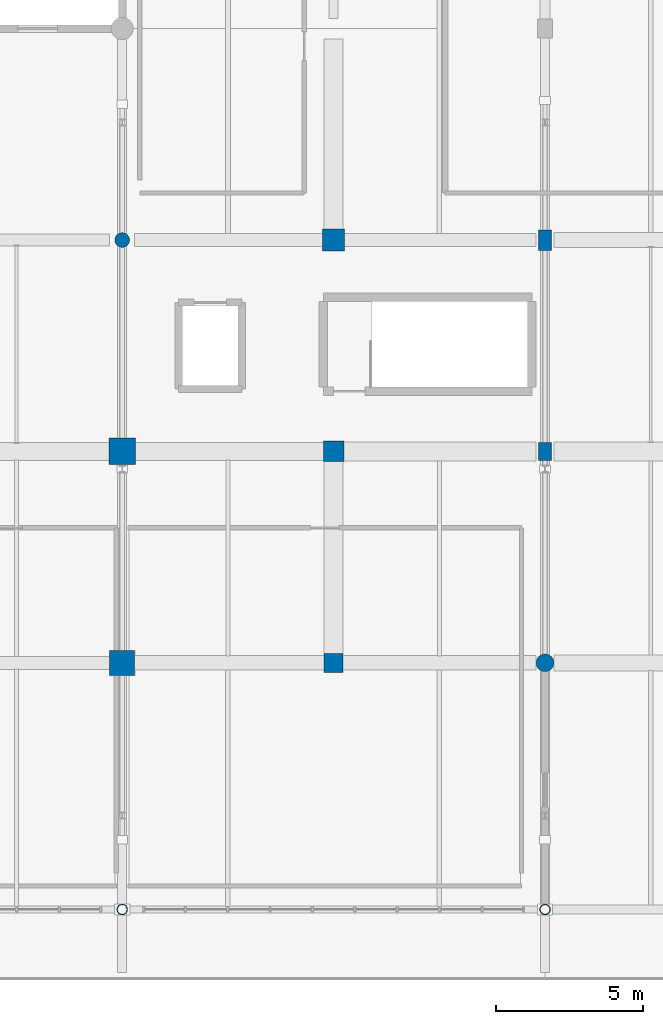
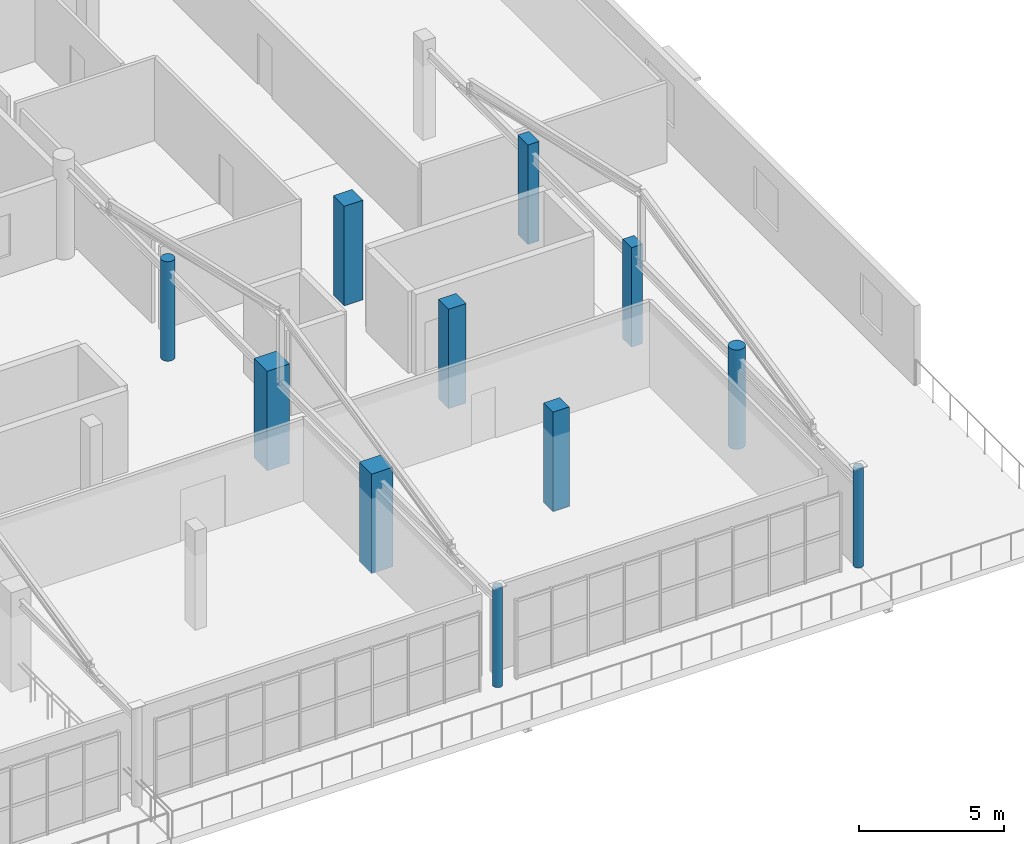
# One storey, part 3 of 41: 11 columns.
"""IFC4 building model written with IfcOpenShell, lengths in metres."""

from ifc_helpers import new_model, si_unit, direction, frame, origin, origin_2d, place, context, subcontext, project, spatial, rectangle, circle, hollow_circle, extrude, material, material_profile, profile_set, type_object, element, save


model = new_model("IFC4")

# Units and contexts
model_context = context("Model", 3, precision=1e-05, world=origin(), true_north=direction((0.0, 1.0)))
body_context = subcontext(model_context, "Body", "Model", "MODEL_VIEW")
ifc_project = project(units=[si_unit("LENGTHUNIT", "METRE"), si_unit("AREAUNIT", "SQUARE_METRE"), si_unit("VOLUMEUNIT", "CUBIC_METRE"), si_unit("PLANEANGLEUNIT", "RADIAN"), si_unit("MASSUNIT", "GRAM", prefix="KILO")], contexts=[model_context])

# Site, building, storey
site_placement = place(None, origin())
site = spatial("IfcSite", under=ifc_project, at=site_placement, CompositionType="ELEMENT")
building_placement = place(site_placement, origin())
building = spatial("IfcBuilding", under=site, at=building_placement, Name="Solanera Park Tramway Depot", CompositionType="ELEMENT")
storey_placement = place(building_placement, frame((0.0, 0.0, 13.199951171875)))
storey = spatial("IfcBuildingStorey", under=building, at=storey_placement, Name="L03", CompositionType="ELEMENT", Elevation=13.199951171875)

# Columns
ifc_material_1 = material(Name="Concrete N40 (C40/50)", Category="concrete")
ifc_material_profile_1 = material_profile(ifc_material_1, rectangle(XDim=0.64990234375, YDim=0.64990234375, at=origin_2d()), Name="RC 650x650")
ifc_profile_set_1 = profile_set([ifc_material_profile_1], Name="Concrete N40 (C40/50)")
column_type_1 = type_object("IfcColumnType", Name="RC Column Ext RC 650x650", PredefinedType="COLUMN", material=ifc_profile_set_1)
column_1_placement = place(storey_placement, frame((172.800048828125, 10.800048828125, 0.0), z_axis=(0.0, 0.0, 1.0), x_axis=(1.0, 0.0, 0.0)))
element("IfcColumn", 1, at=column_1_placement, inside=storey, type_object=column_type_1, Name="L03 Column V4-X1728-Y108", PredefinedType="COLUMN", context=body_context, shape_type="SweptSolid", body=[
    extrude(rectangle(XDim=0.64990234375, YDim=0.64990234375, at=origin_2d()), origin(), (0.0, 0.0, 1.0), 4.199951171875),
])
ifc_material_2 = material(Name="Concrete N40 (C40/50)", Category="concrete")
ifc_material_profile_2 = material_profile(ifc_material_2, rectangle(XDim=0.85009765625, YDim=0.85009765625, at=origin_2d()), Name="RC 850x850")
ifc_profile_set_2 = profile_set([ifc_material_profile_2], Name="Concrete N40 (C40/50)")
column_type_2 = type_object("IfcColumnType", Name="RC Column Ext RC 850x850", PredefinedType="COLUMN", material=ifc_profile_set_2)
column_2_placement = place(storey_placement, frame((165.60009765625, 10.800048828125, 0.0), z_axis=(0.0, 0.0, 1.0), x_axis=(1.0, 0.0, 0.0)))
element("IfcColumn", 2, at=column_2_placement, inside=storey, type_object=column_type_2, Name="L03 Column V4-X1656-Y108", PredefinedType="COLUMN", context=body_context, shape_type="SweptSolid", body=[
    extrude(rectangle(XDim=0.85009765625, YDim=0.85009765625, at=origin_2d()), origin(), (0.0, 0.0, 1.0), 4.199951171875),
])
ifc_material_3 = material(Name="Concrete N40 (C40/50)", Category="concrete")
ifc_material_profile_3 = material_profile(ifc_material_3, circle(Radius=0.300048828125, at=origin_2d()), Name="RC D600")
ifc_profile_set_3 = profile_set([ifc_material_profile_3], Name="Concrete N40 (C40/50)")
column_type_3 = type_object("IfcColumnType", Name="RC Column Ext RC D600", PredefinedType="COLUMN", material=ifc_profile_set_3)
column_3_placement = place(storey_placement, frame((180.0, 10.800048828125, 0.0), z_axis=(0.0, 0.0, 1.0), x_axis=(1.0, 0.0, 0.0)))
element("IfcColumn", 3, at=column_3_placement, inside=storey, type_object=column_type_3, Name="L03 Column V4-X1800-Y108", PredefinedType="COLUMN", context=body_context, shape_type="SweptSolid", body=[
    extrude(circle(Radius=0.300048828125, at=origin_2d()), origin(), (0.0, 0.0, 1.0), 4.199951171875),
])
ifc_material_4 = material(Name="Concrete N40 (C40/50)", Category="concrete")
ifc_material_profile_4 = material_profile(ifc_material_4, rectangle(XDim=0.449951171875, YDim=0.60009765625, at=origin_2d()), Name="RC 450x600")
ifc_profile_set_4 = profile_set([ifc_material_profile_4], Name="Concrete N40 (C40/50)")
column_type_4 = type_object("IfcColumnType", Name="RC Column Int RC 450x600", PredefinedType="COLUMN", material=ifc_profile_set_4)
column_4_placement = place(storey_placement, frame((180.0, 18.0, 0.0), z_axis=(0.0, 0.0, 1.0), x_axis=(1.0, 0.0, 0.0)))
element("IfcColumn", 4, at=column_4_placement, inside=storey, type_object=column_type_4, Name="L03 Column V4-X1800-Y180", PredefinedType="COLUMN", context=body_context, shape_type="SweptSolid", body=[
    extrude(rectangle(XDim=0.449951171875, YDim=0.60009765625, at=origin_2d()), origin(), (0.0, 0.0, 1.0), 4.199951171875),
])
ifc_material_5 = material(Name="Concrete N40 (C40/50)", Category="concrete")
ifc_material_profile_5 = material_profile(ifc_material_5, rectangle(XDim=0.449951171875, YDim=0.699951171875, at=origin_2d()), Name="RC 450x700")
ifc_profile_set_5 = profile_set([ifc_material_profile_5], Name="Concrete N40 (C40/50)")
column_type_5 = type_object("IfcColumnType", Name="RC Column Int RC 450x700", PredefinedType="COLUMN", material=ifc_profile_set_5)
column_5_placement = place(storey_placement, frame((180.0, 25.199951171875, 0.0), z_axis=(0.0, 0.0, 1.0), x_axis=(1.0, 0.0, 0.0)))
element("IfcColumn", 5, at=column_5_placement, inside=storey, type_object=column_type_5, Name="L03 Column V4-X1800-Y252", PredefinedType="COLUMN", context=body_context, shape_type="SweptSolid", body=[
    extrude(rectangle(XDim=0.449951171875, YDim=0.699951171875, at=origin_2d()), origin(), (0.0, 0.0, 1.0), 4.199951171875),
])
ifc_material_6 = material(Name="Concrete N40 (C40/50)", Category="concrete")
ifc_material_profile_6 = material_profile(ifc_material_6, rectangle(XDim=0.699951171875, YDim=0.699951171875, at=origin_2d()), Name="RC 700x700")
ifc_profile_set_6 = profile_set([ifc_material_profile_6], Name="Concrete N40 (C40/50)")
column_type_6 = type_object("IfcColumnType", Name="RC Column Int RC 700x700", PredefinedType="COLUMN", material=ifc_profile_set_6)
column_6_placement = place(storey_placement, frame((172.800048828125, 18.0, 0.0), z_axis=(0.0, 0.0, 1.0), x_axis=(1.0, 0.0, 0.0)))
element("IfcColumn", 6, at=column_6_placement, inside=storey, type_object=column_type_6, Name="L03 Column V4-X1728-Y180", PredefinedType="COLUMN", context=body_context, shape_type="SweptSolid", body=[
    extrude(rectangle(XDim=0.699951171875, YDim=0.699951171875, at=origin_2d()), origin(), (0.0, 0.0, 1.0), 4.199951171875),
])
ifc_material_7 = material(Name="Concrete N40 (C40/50)", Category="concrete")
ifc_material_profile_7 = material_profile(ifc_material_7, rectangle(XDim=0.75, YDim=0.75, at=origin_2d()), Name="RC 750x750")
ifc_profile_set_7 = profile_set([ifc_material_profile_7], Name="Concrete N40 (C40/50)")
column_type_7 = type_object("IfcColumnType", Name="RC Column Int RC 750x750", PredefinedType="COLUMN", material=ifc_profile_set_7)
column_7_placement = place(storey_placement, frame((172.800048828125, 25.199951171875, 0.0), z_axis=(0.0, 0.0, 1.0), x_axis=(1.0, 0.0, 0.0)))
element("IfcColumn", 7, at=column_7_placement, inside=storey, type_object=column_type_7, Name="L03 Column V4-X1728-Y252", PredefinedType="COLUMN", context=body_context, shape_type="SweptSolid", body=[
    extrude(rectangle(XDim=0.75, YDim=0.75, at=origin_2d()), origin(), (0.0, 0.0, 1.0), 4.199951171875),
])
ifc_material_8 = material(Name="Concrete N40 (C40/50)", Category="concrete")
ifc_material_profile_8 = material_profile(ifc_material_8, rectangle(XDim=0.89990234375, YDim=0.89990234375, at=origin_2d()), Name="RC 900x900")
ifc_profile_set_8 = profile_set([ifc_material_profile_8], Name="Concrete N40 (C40/50)")
column_type_8 = type_object("IfcColumnType", Name="RC Column Int RC 900x900", PredefinedType="COLUMN", material=ifc_profile_set_8)
column_8_placement = place(storey_placement, frame((165.60009765625, 18.0, 0.0), z_axis=(0.0, 0.0, 1.0), x_axis=(1.0, 0.0, 0.0)))
element("IfcColumn", 8, at=column_8_placement, inside=storey, type_object=column_type_8, Name="L03 Column V4-X1656-Y180", PredefinedType="COLUMN", context=body_context, shape_type="SweptSolid", body=[
    extrude(rectangle(XDim=0.89990234375, YDim=0.89990234375, at=origin_2d()), origin(), (0.0, 0.0, 1.0), 4.199951171875),
])
ifc_material_9 = material(Name="Concrete N40 (C40/50)", Category="concrete")
ifc_material_profile_9 = material_profile(ifc_material_9, circle(Radius=0.25, at=origin_2d()), Name="RC D500")
ifc_profile_set_9 = profile_set([ifc_material_profile_9], Name="Concrete N40 (C40/50)")
column_type_9 = type_object("IfcColumnType", Name="RC Column Int RC D500", PredefinedType="COLUMN", material=ifc_profile_set_9)
column_9_placement = place(storey_placement, frame((165.60009765625, 25.199951171875, 0.0), z_axis=(0.0, 0.0, 1.0), x_axis=(1.0, 0.0, 0.0)))
element("IfcColumn", 9, at=column_9_placement, inside=storey, type_object=column_type_9, Name="L03 Column V4-X1656-Y252", PredefinedType="COLUMN", context=body_context, shape_type="SweptSolid", body=[
    extrude(circle(Radius=0.25, at=origin_2d()), origin(), (0.0, 0.0, 1.0), 4.199951171875),
])
ifc_material_10 = material(Name="Steel AS/NZS 1163 Grade C350L0", Category="steel")
ifc_material_profile_10 = material_profile(ifc_material_10, hollow_circle(Radius=0.177734375, WallThickness=0.0126953125, at=origin_2d()), Name="355.6x12.7 CHS")
ifc_profile_set_10 = profile_set([ifc_material_profile_10], Name="Steel AS/NZS 1163 Grade C350L0")
column_type_10 = type_object("IfcColumnType", Name="Steel Column Int 355.6x12.7 CHS", PredefinedType="COLUMN", material=ifc_profile_set_10)
for number, where, z_axis, x_axis, name in (
    (10, (165.60009765625, 2.39990234375, 0.0), (0.0, 0.0, 1.0), (1.0, 0.0, 0.0), "L03 Overhang Transfer Column 05"),
    (11, (180.0, 2.39990234375, 0.0), (0.0, 0.0, 1.0), (1.0, 0.0, 0.0), "L03 Overhang Transfer Column 06"),
):
    element("IfcColumn", number, at=place(storey_placement, frame(where, z_axis=z_axis, x_axis=x_axis)), inside=storey, type_object=column_type_10, Name=name, PredefinedType="COLUMN", context=body_context, shape_type="SweptSolid", body=[
        extrude(hollow_circle(Radius=0.177734375, WallThickness=0.0126953125, at=origin_2d()), origin(), (0.0, 0.0, 1.0), 4.199951171875),
    ])

save(model, "model.ifc")
